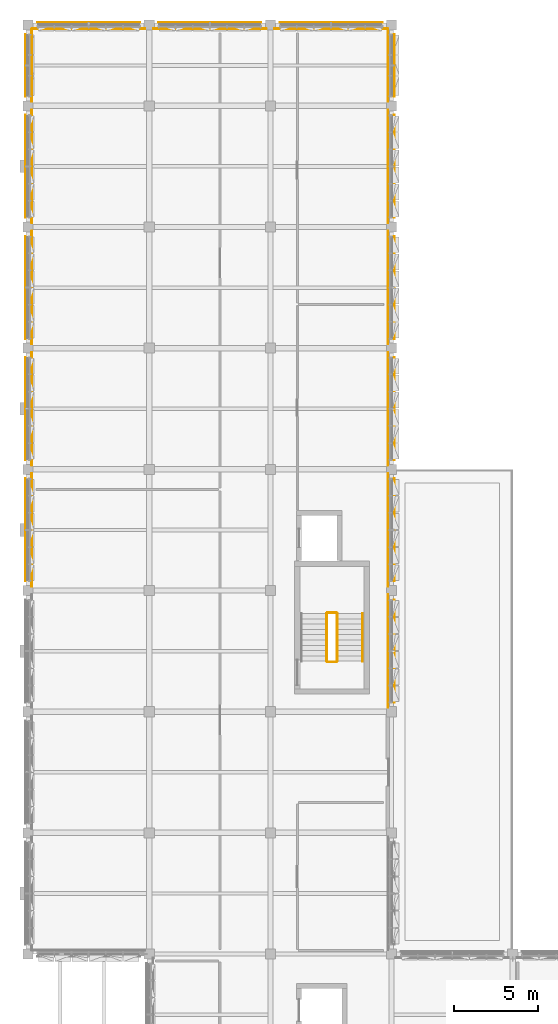
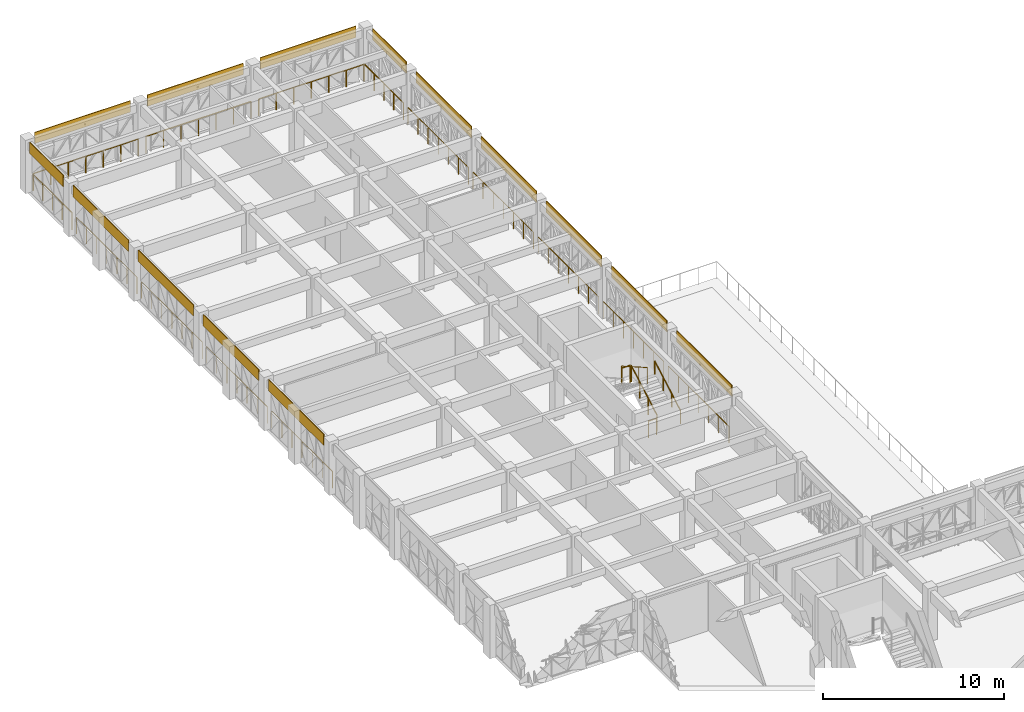
# One storey, part 85 of 99: 19 railings, 14 coverings.
"""IFC4 building model written with IfcOpenShell, lengths in metres."""

from ifc_helpers import new_model, si_unit, direction, frame, origin, origin_2d, place, context, subcontext, project, spatial, polyline, circle, outline, extrude, material, layer, layer_set, type_object, element, save


model = new_model("IFC4")

# Units and contexts
model_context = context("Model", 3, precision=1e-05, world=origin(), true_north=direction((0.0, 1.0)))
body_context = subcontext(model_context, "Body", "Model", "MODEL_VIEW")
ifc_project = project(units=[si_unit("LENGTHUNIT", "METRE"), si_unit("AREAUNIT", "SQUARE_METRE"), si_unit("VOLUMEUNIT", "CUBIC_METRE"), si_unit("PLANEANGLEUNIT", "RADIAN"), si_unit("MASSUNIT", "GRAM", prefix="KILO")], contexts=[model_context])

# Site, building, storey
site_placement = place(None, origin())
site = spatial("IfcSite", under=ifc_project, at=site_placement, CompositionType="ELEMENT")
building_placement = place(site_placement, origin())
building = spatial("IfcBuilding", under=site, at=building_placement, Name="Alvorim Cloister Faculty of Sciences", CompositionType="ELEMENT")
storey_placement = place(building_placement, frame((0.0, 0.0, 12.14990234375)))
storey = spatial("IfcBuildingStorey", under=building, at=storey_placement, Name="L03", CompositionType="ELEMENT", Elevation=12.14990234375)

# Coverings
ifc_material_1 = material(Name="Anodised Aluminium Alloy 6063-T6", Category="aluminium")
ifc_layer = layer(ifc_material_1, 0.031982421875)
ifc_layer_set = layer_set([ifc_layer], Name="Anodised Aluminium Alloy 6063-T6")
covering_type = type_object("IfcCoveringType", Name="COV-FAC-CAS", PredefinedType="CLADDING", material=ifc_layer_set)
for number, where, z_axis, x_axis, name in (
    (1, (-0.14990234375, 78.5400390625, 2.830078125), (0.0, 0.0, 1.0), (0.0, 1.0, 0.0), "L03 Shifted Bar Slab-Edge Architectural Fascia"),
    (2, (-0.14990234375, 85.739990234375, 2.830078125), (0.0, 0.0, 1.0), (0.0, 1.0, 0.0), "L03 Shifted Bar Slab-Edge Architectural Fascia"),
    (3, (-0.14990234375, 92.93994140625, 2.830078125), (0.0, 0.0, 1.0), (0.0, 1.0, 0.0), "L03 Shifted Bar Slab-Edge Architectural Fascia"),
    (4, (-0.14990234375, 100.139892578125, 2.830078125), (0.0, 0.0, 1.0), (0.0, 1.0, 0.0), "L03 Shifted Bar Slab-Edge Architectural Fascia"),
):
    element("IfcCovering", number, at=place(storey_placement, frame(where, z_axis=z_axis, x_axis=x_axis)), inside=storey, type_object=covering_type, Name=name, PredefinedType="CLADDING", context=body_context, shape_type="SweptSolid", body=[
        extrude(outline(polyline([(0.0, 0.0), (6.1201171875, 0.0), (6.1201171875, 0.760009765625), (0.0, 0.760009765625), (0.0, 0.0)])), frame((0.0, 0.0224609375, 0.0), z_axis=(0.0, -1.0, 0.0), x_axis=(1.0, 0.0, 0.0)), (0.0, 0.0, 1.0), 0.044921875),
    ])
covering_1_placement = place(storey_placement, frame((-0.14990234375, 107.340087890625, 2.830078125), z_axis=(0.0, 0.0, 1.0), x_axis=(0.0, 1.0, 0.0)))
element("IfcCovering", 5, at=covering_1_placement, inside=storey, type_object=covering_type, Name="L03 Shifted Bar Slab-Edge Architectural Fascia", PredefinedType="CLADDING", context=body_context, shape_type="SweptSolid", body=[
    extrude(outline(polyline([(0.0, 0.0), (3.719970703125, 0.0), (3.719970703125, 0.760009765625), (0.0, 0.760009765625), (0.0, 0.0)])), frame((0.0, 0.0224609375, 0.0), z_axis=(0.0, -1.0, 0.0), x_axis=(1.0, 0.0, 0.0)), (0.0, 0.0, 1.0), 0.044921875),
])
for number, where, z_axis, x_axis, name in (
    (6, (0.5400390625, 111.75, 2.830078125), (0.0, 0.0, 1.0), (1.0, 0.0, 0.0), "L03 Shifted Bar Slab-Edge Architectural Fascia"),
    (7, (7.739990234375, 111.75, 2.830078125), (0.0, 0.0, 1.0), (1.0, 0.0, 0.0), "L03 Shifted Bar Slab-Edge Architectural Fascia"),
    (8, (14.93994140625, 111.75, 2.830078125), (0.0, 0.0, 1.0), (1.0, 0.0, 0.0), "L03 Shifted Bar Slab-Edge Architectural Fascia"),
):
    element("IfcCovering", number, at=place(storey_placement, frame(where, z_axis=z_axis, x_axis=x_axis)), inside=storey, type_object=covering_type, Name=name, PredefinedType="CLADDING", context=body_context, shape_type="SweptSolid", body=[
        extrude(outline(polyline([(0.0, 0.0), (6.1201171875, 0.0), (6.1201171875, 0.760009765625), (0.0, 0.760009765625), (0.0, 0.0)])), frame((0.0, 0.0224609375, 0.0), z_axis=(0.0, -1.0, 0.0), x_axis=(1.0, 0.0, 0.0)), (0.0, 0.0, 1.0), 0.044921875),
    ])
covering_2_placement = place(storey_placement, frame((21.75, 107.340087890625, 2.830078125), z_axis=(0.0, 0.0, 1.0), x_axis=(0.0, 1.0, 0.0)))
element("IfcCovering", 9, at=covering_2_placement, inside=storey, type_object=covering_type, Name="L03 Shifted Bar Slab-Edge Architectural Fascia", PredefinedType="CLADDING", context=body_context, shape_type="SweptSolid", body=[
    extrude(outline(polyline([(0.0, 0.0), (3.719970703125, 0.0), (3.719970703125, 0.760009765625), (0.0, 0.760009765625), (0.0, 0.0)])), frame((0.0, 0.0224609375, 0.0), z_axis=(0.0, -1.0, 0.0), x_axis=(1.0, 0.0, 0.0)), (0.0, 0.0, 1.0), 0.044921875),
])
for number, where, z_axis, x_axis, name in (
    (10, (21.75, 100.139892578125, 2.830078125), (0.0, 0.0, 1.0), (0.0, 1.0, 0.0), "L03 Shifted Bar Slab-Edge Architectural Fascia"),
    (11, (21.75, 92.93994140625, 2.830078125), (0.0, 0.0, 1.0), (0.0, 1.0, 0.0), "L03 Shifted Bar Slab-Edge Architectural Fascia"),
    (12, (21.75, 85.739990234375, 2.830078125), (0.0, 0.0, 1.0), (0.0, 1.0, 0.0), "L03 Shifted Bar Slab-Edge Architectural Fascia"),
    (13, (21.75, 78.5400390625, 2.830078125), (0.0, 0.0, 1.0), (0.0, 1.0, 0.0), "L03 Shifted Bar Slab-Edge Architectural Fascia"),
    (14, (21.75, 71.340087890625, 2.830078125), (0.0, 0.0, 1.0), (0.0, 1.0, 0.0), "L03 Shifted Bar Slab-Edge Architectural Fascia"),
):
    element("IfcCovering", number, at=place(storey_placement, frame(where, z_axis=z_axis, x_axis=x_axis)), inside=storey, type_object=covering_type, Name=name, PredefinedType="CLADDING", context=body_context, shape_type="SweptSolid", body=[
        extrude(outline(polyline([(0.0, 0.0), (6.1201171875, 0.0), (6.1201171875, 0.760009765625), (0.0, 0.760009765625), (0.0, 0.0)])), frame((0.0, 0.0224609375, 0.0), z_axis=(0.0, -1.0, 0.0), x_axis=(1.0, 0.0, 0.0)), (0.0, 0.0, 1.0), 0.044921875),
    ])

# Railings
ifc_material_2 = material(Name="Laminated Safety Glass and Bronze", Category="glass")
railing_type_1 = type_object("IfcRailingType", Name="RL-ATR-BAL-1150", PredefinedType="BALUSTRADE", material=ifc_material_2)
for number, where, name in (
    (15, (0.219970703125, 78.25, 0.0), "L03 Curtain Wall Sill Guard BL-103"),
    (16, (0.219970703125, 85.449951171875, 0.0), "L03 Curtain Wall Sill Guard BL-104"),
):
    element("IfcRailing", number, at=place(storey_placement, frame(where)), inside=storey, type_object=railing_type_1, Name=name, PredefinedType="BALUSTRADE", context=body_context, shape_type="SweptSolid", body=[
        extrude(circle(Radius=0.02392578125, at=origin_2d()), frame((0.0, 0.0, 1.1259765625), z_axis=(0.0, 1.0, 0.0), x_axis=(-1.0, 0.0, 0.0)), (0.0, 0.0, 1.0), 6.699951171875),
        extrude(circle(Radius=0.02099609375, at=origin_2d()), origin(), (0.0, 0.0, 1.0), 1.101806640625),
        extrude(circle(Radius=0.02099609375, at=origin_2d()), frame((0.0, 1.11669921875, 0.0)), (0.0, 0.0, 1.0), 1.101806640625),
        extrude(circle(Radius=0.02099609375, at=origin_2d()), frame((0.0, 2.2333984375, 0.0)), (0.0, 0.0, 1.0), 1.101806640625),
        extrude(circle(Radius=0.02099609375, at=origin_2d()), frame((0.0, 3.35009765625, 0.0)), (0.0, 0.0, 1.0), 1.101806640625),
        extrude(circle(Radius=0.02099609375, at=origin_2d()), frame((0.0, 4.466552734375, 0.0)), (0.0, 0.0, 1.0), 1.101806640625),
        extrude(circle(Radius=0.02099609375, at=origin_2d()), frame((0.0, 5.583251953125, 0.0)), (0.0, 0.0, 1.0), 1.101806640625),
        extrude(circle(Radius=0.02099609375, at=origin_2d()), frame((0.0, 6.699951171875, 0.0)), (0.0, 0.0, 1.0), 1.101806640625),
    ])
railing_1_placement = place(storey_placement, frame((0.219970703125, 92.64990234375, 0.0)))
element("IfcRailing", 17, at=railing_1_placement, inside=storey, type_object=railing_type_1, Name="L03 Curtain Wall Sill Guard BL-105", PredefinedType="BALUSTRADE", context=body_context, shape_type="SweptSolid", body=[
    extrude(circle(Radius=0.02392578125, at=origin_2d()), frame((0.0, 0.0, 1.1259765625), z_axis=(0.0, 1.0, 0.0), x_axis=(-1.0, 0.0, 0.0)), (0.0, 0.0, 1.0), 6.7001953125),
    extrude(circle(Radius=0.02099609375, at=origin_2d()), origin(), (0.0, 0.0, 1.0), 1.101806640625),
    extrude(circle(Radius=0.02099609375, at=origin_2d()), frame((0.0, 1.11669921875, 0.0)), (0.0, 0.0, 1.0), 1.101806640625),
    extrude(circle(Radius=0.02099609375, at=origin_2d()), frame((0.0, 2.2333984375, 0.0)), (0.0, 0.0, 1.0), 1.101806640625),
    extrude(circle(Radius=0.02099609375, at=origin_2d()), frame((0.0, 3.35009765625, 0.0)), (0.0, 0.0, 1.0), 1.101806640625),
    extrude(circle(Radius=0.02099609375, at=origin_2d()), frame((0.0, 4.466796875, 0.0)), (0.0, 0.0, 1.0), 1.101806640625),
    extrude(circle(Radius=0.02099609375, at=origin_2d()), frame((0.0, 5.58349609375, 0.0)), (0.0, 0.0, 1.0), 1.101806640625),
    extrude(circle(Radius=0.02099609375, at=origin_2d()), frame((0.0, 6.7001953125, 0.0)), (0.0, 0.0, 1.0), 1.101806640625),
])
railing_2_placement = place(storey_placement, frame((0.219970703125, 99.85009765625, 0.0)))
element("IfcRailing", 18, at=railing_2_placement, inside=storey, type_object=railing_type_1, Name="L03 Curtain Wall Sill Guard BL-106", PredefinedType="BALUSTRADE", context=body_context, shape_type="SweptSolid", body=[
    extrude(circle(Radius=0.02392578125, at=origin_2d()), frame((0.0, 0.0, 1.1259765625), z_axis=(0.0, 1.0, 0.0), x_axis=(-1.0, 0.0, 0.0)), (0.0, 0.0, 1.0), 6.699951171875),
    extrude(circle(Radius=0.02099609375, at=origin_2d()), origin(), (0.0, 0.0, 1.0), 1.101806640625),
    extrude(circle(Radius=0.02099609375, at=origin_2d()), frame((0.0, 1.11669921875, 0.0)), (0.0, 0.0, 1.0), 1.101806640625),
    extrude(circle(Radius=0.02099609375, at=origin_2d()), frame((0.0, 2.2333984375, 0.0)), (0.0, 0.0, 1.0), 1.101806640625),
    extrude(circle(Radius=0.02099609375, at=origin_2d()), frame((0.0, 3.35009765625, 0.0)), (0.0, 0.0, 1.0), 1.101806640625),
    extrude(circle(Radius=0.02099609375, at=origin_2d()), frame((0.0, 4.466552734375, 0.0)), (0.0, 0.0, 1.0), 1.101806640625),
    extrude(circle(Radius=0.02099609375, at=origin_2d()), frame((0.0, 5.583251953125, 0.0)), (0.0, 0.0, 1.0), 1.101806640625),
    extrude(circle(Radius=0.02099609375, at=origin_2d()), frame((0.0, 6.699951171875, 0.0)), (0.0, 0.0, 1.0), 1.101806640625),
])
railing_3_placement = place(storey_placement, frame((0.219970703125, 107.050048828125, 0.0)))
element("IfcRailing", 19, at=railing_3_placement, inside=storey, type_object=railing_type_1, Name="L03 Curtain Wall Sill Guard BL-107", PredefinedType="BALUSTRADE", context=body_context, shape_type="SweptSolid", body=[
    extrude(circle(Radius=0.02392578125, at=origin_2d()), frame((0.0, 0.0, 1.1259765625), z_axis=(0.0, 1.0, 0.0), x_axis=(-1.0, 0.0, 0.0)), (0.0, 0.0, 1.0), 4.300048828125),
    extrude(circle(Radius=0.02099609375, at=origin_2d()), origin(), (0.0, 0.0, 1.0), 1.101806640625),
    extrude(circle(Radius=0.02099609375, at=origin_2d()), frame((0.0, 1.074951171875, 0.0)), (0.0, 0.0, 1.0), 1.101806640625),
    extrude(circle(Radius=0.02099609375, at=origin_2d()), frame((0.0, 2.14990234375, 0.0)), (0.0, 0.0, 1.0), 1.101806640625),
    extrude(circle(Radius=0.02099609375, at=origin_2d()), frame((0.0, 3.22509765625, 0.0)), (0.0, 0.0, 1.0), 1.101806640625),
    extrude(circle(Radius=0.02099609375, at=origin_2d()), frame((0.0, 4.300048828125, 0.0)), (0.0, 0.0, 1.0), 1.101806640625),
])
for number, where, name in (
    (20, (0.25, 111.3798828125, 0.0), "L03 Curtain Wall Sill Guard BL-108"),
    (21, (7.449951171875, 111.3798828125, 0.0), "L03 Curtain Wall Sill Guard BL-109"),
):
    element("IfcRailing", number, at=place(storey_placement, frame(where)), inside=storey, type_object=railing_type_1, Name=name, PredefinedType="BALUSTRADE", context=body_context, shape_type="SweptSolid", body=[
        extrude(circle(Radius=0.02392578125, at=origin_2d()), frame((0.0, 0.0, 1.1259765625), z_axis=(1.0, 0.0, 0.0), x_axis=(0.0, 1.0, 0.0)), (0.0, 0.0, 1.0), 6.699951171875),
        extrude(circle(Radius=0.02099609375, at=origin_2d()), origin(), (0.0, 0.0, 1.0), 1.101806640625),
        extrude(circle(Radius=0.02099609375, at=origin_2d()), frame((1.11669921875, 0.0, 0.0)), (0.0, 0.0, 1.0), 1.101806640625),
        extrude(circle(Radius=0.02099609375, at=origin_2d()), frame((2.2333984375, 0.0, 0.0)), (0.0, 0.0, 1.0), 1.101806640625),
        extrude(circle(Radius=0.02099609375, at=origin_2d()), frame((3.35009765625, 0.0, 0.0)), (0.0, 0.0, 1.0), 1.101806640625),
        extrude(circle(Radius=0.02099609375, at=origin_2d()), frame((4.466552734375, 0.0, 0.0)), (0.0, 0.0, 1.0), 1.101806640625),
        extrude(circle(Radius=0.02099609375, at=origin_2d()), frame((5.583251953125, 0.0, 0.0)), (0.0, 0.0, 1.0), 1.101806640625),
        extrude(circle(Radius=0.02099609375, at=origin_2d()), frame((6.699951171875, 0.0, 0.0)), (0.0, 0.0, 1.0), 1.101806640625),
    ])
railing_4_placement = place(storey_placement, frame((14.64990234375, 111.3798828125, 0.0)))
element("IfcRailing", 22, at=railing_4_placement, inside=storey, type_object=railing_type_1, Name="L03 Curtain Wall Sill Guard BL-110", PredefinedType="BALUSTRADE", context=body_context, shape_type="SweptSolid", body=[
    extrude(circle(Radius=0.02392578125, at=origin_2d()), frame((0.0, 0.0, 1.1259765625), z_axis=(1.0, 0.0, 0.0), x_axis=(0.0, 1.0, 0.0)), (0.0, 0.0, 1.0), 6.7001953125),
    extrude(circle(Radius=0.02099609375, at=origin_2d()), origin(), (0.0, 0.0, 1.0), 1.101806640625),
    extrude(circle(Radius=0.02099609375, at=origin_2d()), frame((1.11669921875, 0.0, 0.0)), (0.0, 0.0, 1.0), 1.101806640625),
    extrude(circle(Radius=0.02099609375, at=origin_2d()), frame((2.2333984375, 0.0, 0.0)), (0.0, 0.0, 1.0), 1.101806640625),
    extrude(circle(Radius=0.02099609375, at=origin_2d()), frame((3.35009765625, 0.0, 0.0)), (0.0, 0.0, 1.0), 1.101806640625),
    extrude(circle(Radius=0.02099609375, at=origin_2d()), frame((4.466796875, 0.0, 0.0)), (0.0, 0.0, 1.0), 1.101806640625),
    extrude(circle(Radius=0.02099609375, at=origin_2d()), frame((5.58349609375, 0.0, 0.0)), (0.0, 0.0, 1.0), 1.101806640625),
    extrude(circle(Radius=0.02099609375, at=origin_2d()), frame((6.7001953125, 0.0, 0.0)), (0.0, 0.0, 1.0), 1.101806640625),
])
railing_5_placement = place(storey_placement, frame((21.3798828125, 107.050048828125, 0.0)))
element("IfcRailing", 23, at=railing_5_placement, inside=storey, type_object=railing_type_1, Name="L03 Curtain Wall Sill Guard BL-111", PredefinedType="BALUSTRADE", context=body_context, shape_type="SweptSolid", body=[
    extrude(circle(Radius=0.02392578125, at=origin_2d()), frame((0.0, 0.0, 1.1259765625), z_axis=(0.0, 1.0, 0.0), x_axis=(-1.0, 0.0, 0.0)), (0.0, 0.0, 1.0), 4.300048828125),
    extrude(circle(Radius=0.02099609375, at=origin_2d()), origin(), (0.0, 0.0, 1.0), 1.101806640625),
    extrude(circle(Radius=0.02099609375, at=origin_2d()), frame((0.0, 1.074951171875, 0.0)), (0.0, 0.0, 1.0), 1.101806640625),
    extrude(circle(Radius=0.02099609375, at=origin_2d()), frame((0.0, 2.14990234375, 0.0)), (0.0, 0.0, 1.0), 1.101806640625),
    extrude(circle(Radius=0.02099609375, at=origin_2d()), frame((0.0, 3.22509765625, 0.0)), (0.0, 0.0, 1.0), 1.101806640625),
    extrude(circle(Radius=0.02099609375, at=origin_2d()), frame((0.0, 4.300048828125, 0.0)), (0.0, 0.0, 1.0), 1.101806640625),
])
railing_6_placement = place(storey_placement, frame((21.3798828125, 99.85009765625, 0.0)))
element("IfcRailing", 24, at=railing_6_placement, inside=storey, type_object=railing_type_1, Name="L03 Curtain Wall Sill Guard BL-112", PredefinedType="BALUSTRADE", context=body_context, shape_type="SweptSolid", body=[
    extrude(circle(Radius=0.02392578125, at=origin_2d()), frame((0.0, 0.0, 1.1259765625), z_axis=(0.0, 1.0, 0.0), x_axis=(-1.0, 0.0, 0.0)), (0.0, 0.0, 1.0), 6.699951171875),
    extrude(circle(Radius=0.02099609375, at=origin_2d()), origin(), (0.0, 0.0, 1.0), 1.101806640625),
    extrude(circle(Radius=0.02099609375, at=origin_2d()), frame((0.0, 1.11669921875, 0.0)), (0.0, 0.0, 1.0), 1.101806640625),
    extrude(circle(Radius=0.02099609375, at=origin_2d()), frame((0.0, 2.2333984375, 0.0)), (0.0, 0.0, 1.0), 1.101806640625),
    extrude(circle(Radius=0.02099609375, at=origin_2d()), frame((0.0, 3.35009765625, 0.0)), (0.0, 0.0, 1.0), 1.101806640625),
    extrude(circle(Radius=0.02099609375, at=origin_2d()), frame((0.0, 4.466552734375, 0.0)), (0.0, 0.0, 1.0), 1.101806640625),
    extrude(circle(Radius=0.02099609375, at=origin_2d()), frame((0.0, 5.583251953125, 0.0)), (0.0, 0.0, 1.0), 1.101806640625),
    extrude(circle(Radius=0.02099609375, at=origin_2d()), frame((0.0, 6.699951171875, 0.0)), (0.0, 0.0, 1.0), 1.101806640625),
])
railing_7_placement = place(storey_placement, frame((21.3798828125, 92.64990234375, 0.0)))
element("IfcRailing", 25, at=railing_7_placement, inside=storey, type_object=railing_type_1, Name="L03 Curtain Wall Sill Guard BL-113", PredefinedType="BALUSTRADE", context=body_context, shape_type="SweptSolid", body=[
    extrude(circle(Radius=0.02392578125, at=origin_2d()), frame((0.0, 0.0, 1.1259765625), z_axis=(0.0, 1.0, 0.0), x_axis=(-1.0, 0.0, 0.0)), (0.0, 0.0, 1.0), 6.7001953125),
    extrude(circle(Radius=0.02099609375, at=origin_2d()), origin(), (0.0, 0.0, 1.0), 1.101806640625),
    extrude(circle(Radius=0.02099609375, at=origin_2d()), frame((0.0, 1.11669921875, 0.0)), (0.0, 0.0, 1.0), 1.101806640625),
    extrude(circle(Radius=0.02099609375, at=origin_2d()), frame((0.0, 2.2333984375, 0.0)), (0.0, 0.0, 1.0), 1.101806640625),
    extrude(circle(Radius=0.02099609375, at=origin_2d()), frame((0.0, 3.35009765625, 0.0)), (0.0, 0.0, 1.0), 1.101806640625),
    extrude(circle(Radius=0.02099609375, at=origin_2d()), frame((0.0, 4.466796875, 0.0)), (0.0, 0.0, 1.0), 1.101806640625),
    extrude(circle(Radius=0.02099609375, at=origin_2d()), frame((0.0, 5.58349609375, 0.0)), (0.0, 0.0, 1.0), 1.101806640625),
    extrude(circle(Radius=0.02099609375, at=origin_2d()), frame((0.0, 6.7001953125, 0.0)), (0.0, 0.0, 1.0), 1.101806640625),
])
for number, where, name in (
    (26, (21.3798828125, 85.449951171875, 0.0), "L03 Curtain Wall Sill Guard BL-114"),
    (27, (21.3798828125, 78.25, 0.0), "L03 Curtain Wall Sill Guard BL-115"),
    (28, (21.3798828125, 71.050048828125, 0.0), "L03 Curtain Wall Sill Guard BL-116"),
):
    element("IfcRailing", number, at=place(storey_placement, frame(where)), inside=storey, type_object=railing_type_1, Name=name, PredefinedType="BALUSTRADE", context=body_context, shape_type="SweptSolid", body=[
        extrude(circle(Radius=0.02392578125, at=origin_2d()), frame((0.0, 0.0, 1.1259765625), z_axis=(0.0, 1.0, 0.0), x_axis=(-1.0, 0.0, 0.0)), (0.0, 0.0, 1.0), 6.699951171875),
        extrude(circle(Radius=0.02099609375, at=origin_2d()), origin(), (0.0, 0.0, 1.0), 1.101806640625),
        extrude(circle(Radius=0.02099609375, at=origin_2d()), frame((0.0, 1.11669921875, 0.0)), (0.0, 0.0, 1.0), 1.101806640625),
        extrude(circle(Radius=0.02099609375, at=origin_2d()), frame((0.0, 2.2333984375, 0.0)), (0.0, 0.0, 1.0), 1.101806640625),
        extrude(circle(Radius=0.02099609375, at=origin_2d()), frame((0.0, 3.35009765625, 0.0)), (0.0, 0.0, 1.0), 1.101806640625),
        extrude(circle(Radius=0.02099609375, at=origin_2d()), frame((0.0, 4.466552734375, 0.0)), (0.0, 0.0, 1.0), 1.101806640625),
        extrude(circle(Radius=0.02099609375, at=origin_2d()), frame((0.0, 5.583251953125, 0.0)), (0.0, 0.0, 1.0), 1.101806640625),
        extrude(circle(Radius=0.02099609375, at=origin_2d()), frame((0.0, 6.699951171875, 0.0)), (0.0, 0.0, 1.0), 1.101806640625),
    ])
ifc_material_3 = material(Name="Galvanised Painted Steel", Category="steel")
railing_type_2 = type_object("IfcRailingType", Name="RL-STR-GUARD", PredefinedType="GUARDRAIL", material=ifc_material_3)
railing_8_placement = place(storey_placement, frame((18.3701171875, 73.800048828125, 0.18017578125)))
element("IfcRailing", 29, at=railing_8_placement, inside=storey, type_object=railing_type_2, Name="L03 ST-05 stair guard 1", PredefinedType="GUARDRAIL", context=body_context, shape_type="SweptSolid", body=[
    extrude(circle(Radius=0.02392578125, at=origin_2d()), frame((0.0, 0.0, 1.09619140625), z_axis=(0.0, 0.868256945921, 0.496114780932), x_axis=(-1.0, 0.0, 0.0)), (0.0, 0.0, 1.0), 3.26513671875),
    extrude(circle(Radius=0.02099609375, at=origin_2d()), origin(), (0.0, 0.0, 1.0), 1.072021484375),
    extrude(circle(Radius=0.02099609375, at=origin_2d()), frame((0.0, 0.945068359375, 0.5400390625)), (0.0, 0.0, 1.0), 1.072021484375),
    extrude(circle(Radius=0.02099609375, at=origin_2d()), frame((0.0, 1.889892578125, 1.079833984375)), (0.0, 0.0, 1.0), 1.072021484375),
    extrude(circle(Radius=0.02099609375, at=origin_2d()), frame((0.0, 2.8349609375, 1.619873046875)), (0.0, 0.0, 1.0), 1.072021484375),
])
railing_9_placement = place(storey_placement, frame((18.320068359375, 76.68505859375, 1.800048828125)))
element("IfcRailing", 30, at=railing_9_placement, inside=storey, type_object=railing_type_2, Name="L03 ST-05 stair guard 2", PredefinedType="GUARDRAIL", context=body_context, shape_type="SweptSolid", body=[
    extrude(circle(Radius=0.02392578125, at=origin_2d()), frame((0.0, 0.0, 1.09619140625), z_axis=(-1.0, 0.0, 0.0), x_axis=(0.0, -1.0, 0.0)), (0.0, 0.0, 1.0), 0.52001953125),
    extrude(circle(Radius=0.02099609375, at=origin_2d()), origin(), (0.0, 0.0, 1.0), 1.072021484375),
    extrude(circle(Radius=0.02099609375, at=origin_2d()), frame((-0.52001953125, 0.0, 0.0)), (0.0, 0.0, 1.0), 1.072021484375),
])
railing_10_placement = place(storey_placement, frame((17.75, 76.635009765625, 1.97998046875)))
element("IfcRailing", 31, at=railing_10_placement, inside=storey, type_object=railing_type_2, Name="L03 ST-05 stair guard 3", PredefinedType="GUARDRAIL", context=body_context, shape_type="SweptSolid", body=[
    extrude(circle(Radius=0.02392578125, at=origin_2d()), frame((0.0, 0.0, 1.09619140625), z_axis=(0.0, -0.868224736699, 0.496171146464), x_axis=(1.0, 0.0, 0.0)), (0.0, 0.0, 1.0), 3.26513671875),
    extrude(circle(Radius=0.02099609375, at=origin_2d()), origin(), (0.0, 0.0, 1.0), 1.072021484375),
    extrude(circle(Radius=0.02099609375, at=origin_2d()), frame((0.0, -0.945068359375, 0.5400390625)), (0.0, 0.0, 1.0), 1.072021484375),
    extrude(circle(Radius=0.02099609375, at=origin_2d()), frame((0.0, -1.889892578125, 1.080078125)), (0.0, 0.0, 1.0), 1.072021484375),
    extrude(circle(Radius=0.02099609375, at=origin_2d()), frame((0.0, -2.8349609375, 1.6201171875)), (0.0, 0.0, 1.0), 1.072021484375),
])
railing_11_placement = place(storey_placement, frame((18.320068359375, 73.75, 0.0)))
element("IfcRailing", 32, at=railing_11_placement, inside=storey, type_object=railing_type_2, Name="L03 ST-05 stair guard 4", PredefinedType="GUARDRAIL", context=body_context, shape_type="SweptSolid", body=[
    extrude(circle(Radius=0.02392578125, at=origin_2d()), frame((0.0, 0.0, 1.09619140625), z_axis=(-1.0, 0.0, 0.0), x_axis=(0.0, -1.0, 0.0)), (0.0, 0.0, 1.0), 0.52001953125),
    extrude(circle(Radius=0.02099609375, at=origin_2d()), origin(), (0.0, 0.0, 1.0), 1.072021484375),
    extrude(circle(Radius=0.02099609375, at=origin_2d()), frame((-0.52001953125, 0.0, 0.0)), (0.0, 0.0, 1.0), 1.072021484375),
])
ifc_material_4 = material(Name="Brushed Stainless Steel", Category="steel")
railing_type_3 = type_object("IfcRailingType", Name="RL-STR-HAND", PredefinedType="HANDRAIL", material=ifc_material_4)
railing_12_placement = place(storey_placement, frame((19.8701171875, 73.800048828125, 0.18017578125)))
element("IfcRailing", 33, at=railing_12_placement, inside=storey, type_object=railing_type_3, Name="L03 ST-05 stair handrail 1", PredefinedType="HANDRAIL", context=body_context, shape_type="SweptSolid", body=[
    extrude(circle(Radius=0.02392578125, at=origin_2d()), frame((0.0, 0.0, 0.8759765625), z_axis=(0.0, 0.868256945921, 0.496114780932), x_axis=(-1.0, 0.0, 0.0)), (0.0, 0.0, 1.0), 3.26513671875),
    extrude(circle(Radius=0.02099609375, at=origin_2d()), origin(), (0.0, 0.0, 1.0), 0.851806640625),
    extrude(circle(Radius=0.02099609375, at=origin_2d()), frame((0.0, 0.945068359375, 0.5400390625)), (0.0, 0.0, 1.0), 0.851806640625),
    extrude(circle(Radius=0.02099609375, at=origin_2d()), frame((0.0, 1.889892578125, 1.079833984375)), (0.0, 0.0, 1.0), 0.851806640625),
    extrude(circle(Radius=0.02099609375, at=origin_2d()), frame((0.0, 2.8349609375, 1.619873046875)), (0.0, 0.0, 1.0), 0.851806640625),
])

save(model, "model.ifc")
